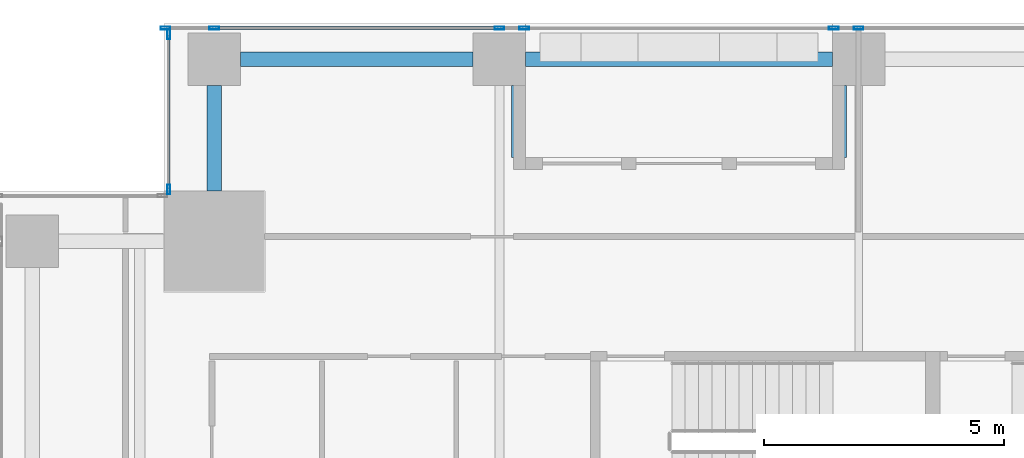
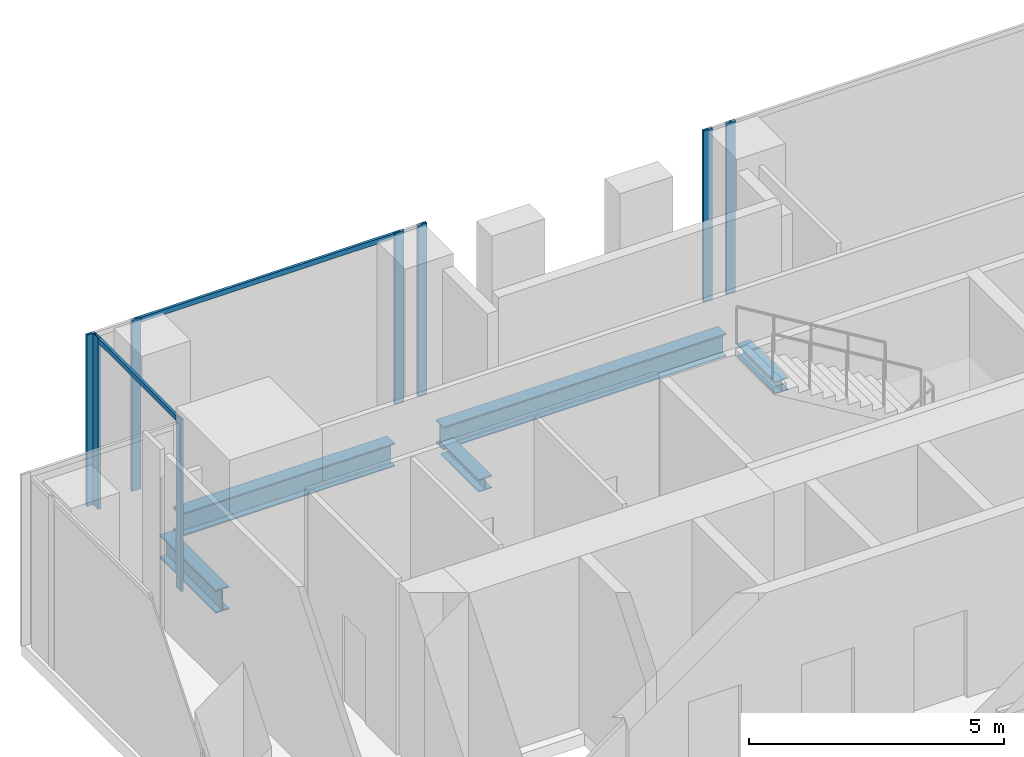
# One storey, part 16 of 34: 10 members, 5 beams, 3 elements without a shape of their own.
"""IFC4 building model written with IfcOpenShell, lengths in metres."""

from ifc_helpers import new_model, si_unit, direction, frame, origin, origin_2d, place, context, subcontext, project, spatial, hollow_rectangle, i_section, extrude, source, transform, mapped, material, material_profile, profile_set, type_object, element, aggregate, save


model = new_model("IFC4")

# Units and contexts
model_context = context("Model", 3, precision=1e-05, world=origin(), true_north=direction((0.0, 1.0)))
body_context = subcontext(model_context, "Body", "Model", "MODEL_VIEW")
ifc_project = project(units=[si_unit("LENGTHUNIT", "METRE"), si_unit("AREAUNIT", "SQUARE_METRE"), si_unit("VOLUMEUNIT", "CUBIC_METRE"), si_unit("PLANEANGLEUNIT", "RADIAN"), si_unit("MASSUNIT", "GRAM", prefix="KILO")], contexts=[model_context])

# Site, building, storey
site_placement = place(None, origin())
site = spatial("IfcSite", under=ifc_project, at=site_placement, CompositionType="ELEMENT")
building_placement = place(site_placement, origin())
building = spatial("IfcBuilding", under=site, at=building_placement, Name="Khomas Fold Tower", CompositionType="ELEMENT")
storey_placement = place(building_placement, frame((0.0, 0.0, 105.89990234375)))
storey = spatial("IfcBuildingStorey", under=building, at=storey_placement, Name="L22", CompositionType="ELEMENT", Elevation=105.89990234375)

# Beams
ifc_material_1 = material(Name="Steel S355", Category="steel")
ifc_material_profile_1 = material_profile(ifc_material_1, i_section(OverallWidth=0.300048828125, OverallDepth=0.550048828125, WebThickness=0.014892578125, FlangeThickness=0.029052734375, at=origin_2d()), Name="HE 550 B")
ifc_profile_set_1 = profile_set([ifc_material_profile_1], Name="Steel S355")
beam_type_1 = type_object("IfcBeamType", Name="HE 550 B spandrel SB2", PredefinedType="SPANDREL", material=ifc_profile_set_1)
shared_shape_1 = source(origin(), body_context, "Body", "SweptSolid", [
    extrude(i_section(OverallWidth=0.300048828125, OverallDepth=0.550048828125, WebThickness=0.014892578125, FlangeThickness=0.029052734375, at=origin_2d()), origin(), (0.0, 0.0, 1.0), 4.849853515625),
])
beam_1_placement = place(storey_placement, frame((6.60009765625, 51.75, -0.574951171875), z_axis=(1.0, 0.0, 0.0), x_axis=(0.0, 1.0, 0.0)))
element("IfcBeam", 1, at=beam_1_placement, inside=storey, type_object=beam_type_1, Name="SB2", PredefinedType="SPANDREL", context=body_context, shape_type="MappedRepresentation", body=[
    mapped(shared_shape_1, transform((0.0, 0.0, 0.0))),
])
shared_shape_2 = source(origin(), body_context, "Body", "SweptSolid", [
    extrude(i_section(OverallWidth=0.300048828125, OverallDepth=0.550048828125, WebThickness=0.014892578125, FlangeThickness=0.029052734375, at=origin_2d()), origin(), (0.0, 0.0, 1.0), 6.39990234375),
])
beam_2_placement = place(storey_placement, frame((12.550048828125, 51.75, -0.574951171875), z_axis=(1.0, 0.0, 0.0), x_axis=(0.0, 1.0, 0.0)))
element("IfcBeam", 2, at=beam_2_placement, inside=storey, type_object=beam_type_1, Name="SB2", PredefinedType="SPANDREL", context=body_context, shape_type="MappedRepresentation", body=[
    mapped(shared_shape_2, transform((0.0, 0.0, 0.0))),
])
shared_shape_3 = source(origin(), body_context, "Body", "SweptSolid", [
    extrude(i_section(OverallWidth=0.300048828125, OverallDepth=0.550048828125, WebThickness=0.014892578125, FlangeThickness=0.029052734375, at=origin_2d()), origin(), (0.0, 0.0, 1.0), 2.199951171875),
])
beam_3_placement = place(storey_placement, frame((6.050048828125, 49.0, -0.574951171875), z_axis=(0.0, 1.0, 0.0), x_axis=(-1.0, 0.0, 0.0)))
element("IfcBeam", 3, at=beam_3_placement, inside=storey, type_object=beam_type_1, Name="SB2", PredefinedType="SPANDREL", context=body_context, shape_type="MappedRepresentation", body=[
    mapped(shared_shape_3, transform((0.0, 0.0, 0.0))),
])
ifc_material_2 = material(Name="Steel S355", Category="steel")
ifc_material_profile_2 = material_profile(ifc_material_2, i_section(OverallWidth=0.300048828125, OverallDepth=0.300048828125, WebThickness=0.010986328125, FlangeThickness=0.01904296875, at=origin_2d()), Name="HE 300 B")
ifc_profile_set_2 = profile_set([ifc_material_profile_2], Name="Steel S355")
beam_type_2 = type_object("IfcBeamType", Name="HE 300 B beam BB1", PredefinedType="BEAM", material=ifc_profile_set_2)
shared_shape_4 = source(origin(), body_context, "Body", "SweptSolid", [
    extrude(i_section(OverallWidth=0.300048828125, OverallDepth=0.300048828125, WebThickness=0.010986328125, FlangeThickness=0.01904296875, at=origin_2d()), origin(), (0.0, 0.0, 1.0), 1.5),
])
for number, where, z_axis, x_axis, name in (
    (4, (12.39990234375, 49.699951171875, -0.449951171875), (0.0, 1.0, 0.0), (-1.0, 0.0, 0.0), "BB1"),
    (5, (19.10009765625, 49.699951171875, -0.449951171875), (0.0, 1.0, 0.0), (-1.0, 0.0, 0.0), "BB1"),
):
    element("IfcBeam", number, at=place(storey_placement, frame(where, z_axis=z_axis, x_axis=x_axis)), inside=storey, type_object=beam_type_2, Name=name, PredefinedType="BEAM", context=body_context, shape_type="MappedRepresentation", body=[
        mapped(shared_shape_4, transform((0.0, 0.0, 0.0))),
    ])

# Curtain wall, members
ifc_material_3 = material(Name="Aluminium framed double glazing", Category="aluminium")
curtain_wall_type = type_object("IfcCurtainWallType", Name="SK-Unitised clear-glass wall, growing floors CW1", PredefinedType="NOTDEFINED", material=ifc_material_3)
curtain_wall_1_placement = place(storey_placement, origin())
curtain_wall_1 = element("IfcCurtainWall", 6, at=curtain_wall_1_placement, inside=storey, type_object=curtain_wall_type, Name="CW1 run L22 06-0", PredefinedType="NOTDEFINED")
ifc_material_4 = material(Name="Aluminium", Category="aluminium")
ifc_material_profile_3 = material_profile(ifc_material_4, hollow_rectangle(XDim=0.06005859375, YDim=0.199951171875, WallThickness=0.00390625, at=origin_2d()), Name="SK-Unitised clear-glass wall, growing floors mullion CW1-M")
ifc_profile_set_3 = profile_set([ifc_material_profile_3], Name="Aluminium")
member_type_1 = type_object("IfcMemberType", Name="SK-Unitised clear-glass wall, growing floors mullion CW1-M", PredefinedType="MULLION", material=ifc_profile_set_3)
shared_shape_5 = source(origin(), body_context, "Body", "SweptSolid", [
    extrude(hollow_rectangle(XDim=0.06005859375, YDim=0.199951171875, WallThickness=0.00390625, at=origin_2d()), origin(), (0.0, 0.0, 1.0), 4.10009765625),
])
member_1_placement = place(storey_placement, frame((19.5, 52.39990234375, 0.0), z_axis=(0.0, 0.0, 1.0), x_axis=(0.0, -1.0, 0.0)))
member_1 = element("IfcMember", 7, at=member_1_placement, type_object=member_type_1, Name="CW1 mullion 6", PredefinedType="MULLION", context=body_context, shape_type="MappedRepresentation", body=[
    mapped(shared_shape_5, transform((0.0, 0.0, 0.0))),
])
member_2_placement = place(storey_placement, frame((18.97998046875, 52.39990234375, 0.0), z_axis=(0.0, 0.0, 1.0), x_axis=(0.0, -1.0, 0.0)))
member_2 = element("IfcMember", 8, at=member_2_placement, type_object=member_type_1, Name="CW1 mullion 7", PredefinedType="MULLION", context=body_context, shape_type="MappedRepresentation", body=[
    mapped(shared_shape_5, transform((0.0, 0.0, 0.0))),
])
aggregate(curtain_wall_1, [member_1, member_2])

curtain_wall_2_placement = place(storey_placement, origin())
curtain_wall_2 = element("IfcCurtainWall", 9, at=curtain_wall_2_placement, inside=storey, type_object=curtain_wall_type, Name="CW1 run L22 06-1", PredefinedType="NOTDEFINED")
member_3_placement = place(storey_placement, frame((12.52001953125, 52.39990234375, 0.0), z_axis=(0.0, 0.0, 1.0), x_axis=(0.0, -1.0, 0.0)))
member_3 = element("IfcMember", 10, at=member_3_placement, type_object=member_type_1, Name="CW1 mullion 1", PredefinedType="MULLION", context=body_context, shape_type="MappedRepresentation", body=[
    mapped(shared_shape_5, transform((0.0, 0.0, 0.0))),
])
member_4_placement = place(storey_placement, frame((12.0, 52.39990234375, 0.0), z_axis=(0.0, 0.0, 1.0), x_axis=(0.0, -1.0, 0.0)))
member_4 = element("IfcMember", 11, at=member_4_placement, type_object=member_type_1, Name="CW1 mullion 2", PredefinedType="MULLION", context=body_context, shape_type="MappedRepresentation", body=[
    mapped(shared_shape_5, transform((0.0, 0.0, 0.0))),
])
member_5_placement = place(storey_placement, frame((6.050048828125, 52.39990234375, 0.0), z_axis=(0.0, 0.0, 1.0), x_axis=(0.0, -1.0, 0.0)))
member_5 = element("IfcMember", 12, at=member_5_placement, type_object=member_type_1, Name="CW1 mullion 3", PredefinedType="MULLION", context=body_context, shape_type="MappedRepresentation", body=[
    mapped(shared_shape_5, transform((0.0, 0.0, 0.0))),
])
member_6_placement = place(storey_placement, frame((5.030029296875, 52.39990234375, 0.0), z_axis=(0.0, 0.0, 1.0), x_axis=(0.0, -1.0, 0.0)))
member_6 = element("IfcMember", 13, at=member_6_placement, type_object=member_type_1, Name="CW1 mullion 4", PredefinedType="MULLION", context=body_context, shape_type="MappedRepresentation", body=[
    mapped(shared_shape_5, transform((0.0, 0.0, 0.0))),
])

curtain_wall_3_placement = place(storey_placement, origin())
curtain_wall_3 = element("IfcCurtainWall", 14, at=curtain_wall_3_placement, inside=storey, type_object=curtain_wall_type, Name="CW1 corner return L22 07", PredefinedType="NOTDEFINED")
member_7_placement = place(storey_placement, frame((5.10009765625, 52.27001953125, 0.0), z_axis=(0.0, 0.0, 1.0), x_axis=(1.0, 0.0, 0.0)))
member_7 = element("IfcMember", 15, at=member_7_placement, type_object=member_type_1, Name="CW1 mullion 1", PredefinedType="MULLION", context=body_context, shape_type="MappedRepresentation", body=[
    mapped(shared_shape_5, transform((0.0, 0.0, 0.0))),
])
member_8_placement = place(storey_placement, frame((5.10009765625, 49.030029296875, 0.0), z_axis=(0.0, 0.0, 1.0), x_axis=(1.0, 0.0, 0.0)))
member_8 = element("IfcMember", 16, at=member_8_placement, type_object=member_type_1, Name="CW1 mullion 2", PredefinedType="MULLION", context=body_context, shape_type="MappedRepresentation", body=[
    mapped(shared_shape_5, transform((0.0, 0.0, 0.0))),
])

# Member
ifc_material_5 = material(Name="Aluminium", Category="aluminium")
ifc_material_profile_4 = material_profile(ifc_material_5, hollow_rectangle(XDim=0.06005859375, YDim=0.1201171875, WallThickness=0.00390625, at=origin_2d()), Name="SK-Unitised clear-glass wall, growing floors transom CW1-T")
ifc_profile_set_4 = profile_set([ifc_material_profile_4], Name="Aluminium")
member_type_2 = type_object("IfcMemberType", Name="SK-Unitised clear-glass wall, growing floors transom CW1-T", PredefinedType="USERDEFINED", material=ifc_profile_set_4)
shared_shape_6 = source(origin(), body_context, "Body", "SweptSolid", [
    extrude(hollow_rectangle(XDim=0.06005859375, YDim=0.1201171875, WallThickness=0.00390625, at=origin_2d()), origin(), (0.0, 0.0, 1.0), 5.889892578125),
])
member_9_placement = place(storey_placement, frame((11.969970703125, 52.39990234375, 4.0400390625), z_axis=(-1.0, 0.0, 0.0), x_axis=(0.0, -1.0, 0.0)))
member_9 = element("IfcMember", 17, at=member_9_placement, type_object=member_type_2, Name="CW1 transom 2", ObjectType="TRANSOM", PredefinedType="USERDEFINED", context=body_context, shape_type="MappedRepresentation", body=[
    mapped(shared_shape_6, transform((0.0, 0.0, 0.0))),
])

aggregate(curtain_wall_2, [member_3, member_4, member_5, member_6, member_9])

shared_shape_7 = source(origin(), body_context, "Body", "SweptSolid", [
    extrude(hollow_rectangle(XDim=0.06005859375, YDim=0.1201171875, WallThickness=0.00390625, at=origin_2d()), origin(), (0.0, 0.0, 1.0), 3.179931640625),
])
member_10_placement = place(storey_placement, frame((5.10009765625, 52.239990234375, 4.0400390625), z_axis=(0.0, -1.0, 0.0), x_axis=(1.0, 0.0, 0.0)))
member_10 = element("IfcMember", 18, at=member_10_placement, type_object=member_type_2, Name="CW1 transom 1", ObjectType="TRANSOM", PredefinedType="USERDEFINED", context=body_context, shape_type="MappedRepresentation", body=[
    mapped(shared_shape_7, transform((0.0, 0.0, 0.0))),
])

aggregate(curtain_wall_3, [member_7, member_8, member_10])

save(model, "model.ifc")
